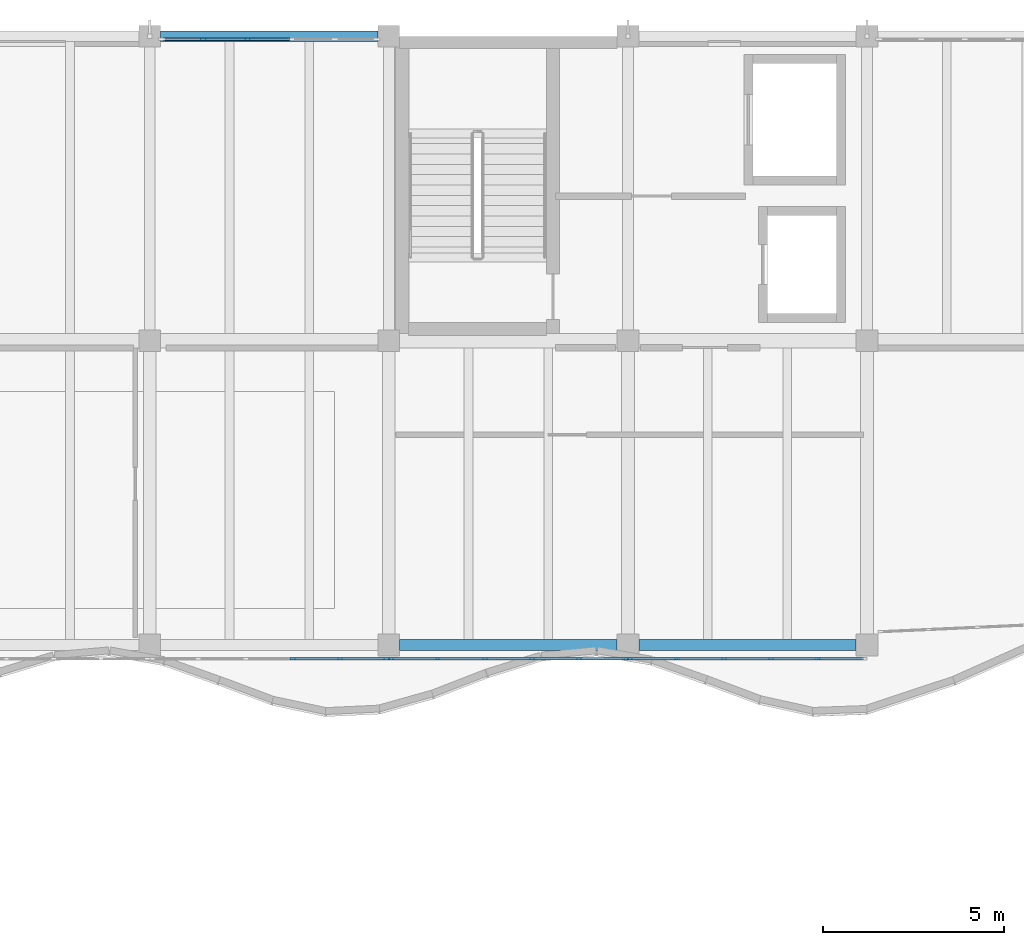
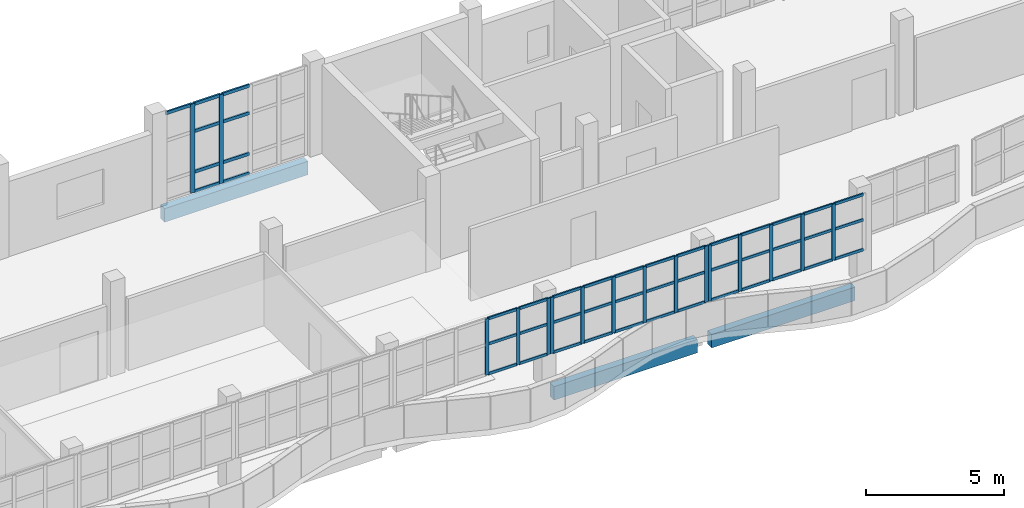
# One storey, part 16 of 74: 61 members, 3 beams, 4 elements without a shape of their own.
"""IFC4 building model written with IfcOpenShell, lengths in metres."""

from ifc_helpers import new_model, si_unit, direction, frame, origin, origin_2d, place, context, subcontext, project, spatial, rectangle, extrude, material, material_profile, profile_set, type_object, element, aggregate, save


model = new_model("IFC4")

# Units and contexts
model_context = context("Model", 3, precision=1e-05, world=origin(), true_north=direction((0.0, 1.0)))
body_context = subcontext(model_context, "Body", "Model", "MODEL_VIEW")
ifc_project = project(units=[si_unit("LENGTHUNIT", "METRE"), si_unit("AREAUNIT", "SQUARE_METRE"), si_unit("VOLUMEUNIT", "CUBIC_METRE"), si_unit("PLANEANGLEUNIT", "RADIAN"), si_unit("MASSUNIT", "GRAM", prefix="KILO")], contexts=[model_context])

# Site, building, storey
site_placement = place(None, origin())
site = spatial("IfcSite", under=ifc_project, at=site_placement, CompositionType="ELEMENT")
building_placement = place(site_placement, origin())
building = spatial("IfcBuilding", under=site, at=building_placement, Name="Qaldarim Faculty of Natural and Applied Sciences", CompositionType="ELEMENT")
storey_placement = place(building_placement, frame((0.0, 0.0, 14.39990234375)))
storey = spatial("IfcBuildingStorey", under=building, at=storey_placement, Name="L03", CompositionType="ELEMENT", Elevation=14.39990234375)

# Curtain wall, members
ifc_material_1 = material(Name="Anodised aluminium AW-6063", Category="aluminium")
curtain_wall_type_1 = type_object("IfcCurtainWallType", Name="CurtainWallSystem-M1400", PredefinedType="USERDEFINED", material=ifc_material_1)
curtain_wall_1_placement = place(storey_placement, origin())
curtain_wall_1 = element("IfcCurtainWall", 1, at=curtain_wall_1_placement, inside=storey, type_object=curtain_wall_type_1, Name="Curtain wall CW-V4RIB-L03-X15", ObjectType="STICK CURTAIN WALL", PredefinedType="USERDEFINED")
ifc_material_profile_1 = material_profile(ifc_material_1, rectangle(XDim=0.06005859375, YDim=0.14990234375, at=origin_2d()), Name="ALU-M60x150")
ifc_profile_set_1 = profile_set([ifc_material_profile_1], Name="Anodised aluminium AW-6063")
member_type_1 = type_object("IfcMemberType", Name="Mullion-ALU60x150", PredefinedType="MULLION", material=ifc_profile_set_1)
member_1_placement = place(storey_placement, frame((96.35205078125, 100.419921875, 1.4501953125), z_axis=(0.0, 0.0, 1.0), x_axis=(0.0, 1.0, 0.0)))
member_1 = element("IfcMember", 2, at=member_1_placement, type_object=member_type_1, Name="Mullion 4 of CW-V4RIB-L03-X15", PredefinedType="MULLION", context=body_context, shape_type="SweptSolid", body=[
    extrude(rectangle(XDim=0.06005859375, YDim=0.14990234375, at=origin_2d()), origin(), (0.0, 0.0, 1.0), 2.489990234375),
])
member_2_placement = place(storey_placement, frame((97.656005859375, 100.419921875, 1.4501953125), z_axis=(0.0, 0.0, 1.0), x_axis=(0.0, 1.0, 0.0)))
member_2 = element("IfcMember", 3, at=member_2_placement, type_object=member_type_1, Name="Mullion 5 of CW-V4RIB-L03-X15", PredefinedType="MULLION", context=body_context, shape_type="SweptSolid", body=[
    extrude(rectangle(XDim=0.06005859375, YDim=0.14990234375, at=origin_2d()), origin(), (0.0, 0.0, 1.0), 2.489990234375),
])
member_3_placement = place(storey_placement, frame((98.929931640625, 100.419921875, 1.4501953125), z_axis=(0.0, 0.0, 1.0), x_axis=(0.0, 1.0, 0.0)))
member_3 = element("IfcMember", 4, at=member_3_placement, type_object=member_type_1, Name="Mullion 6 of CW-V4RIB-L03-X15", PredefinedType="MULLION", context=body_context, shape_type="SweptSolid", body=[
    extrude(rectangle(XDim=0.06005859375, YDim=0.14990234375, at=origin_2d()), origin(), (0.0, 0.0, 1.0), 2.489990234375),
])

curtain_wall_2_placement = place(storey_placement, origin())
curtain_wall_2 = element("IfcCurtainWall", 5, at=curtain_wall_2_placement, inside=storey, type_object=curtain_wall_type_1, Name="Curtain wall CW-V4RIB-L03-X16", ObjectType="STICK CURTAIN WALL", PredefinedType="USERDEFINED")
member_4_placement = place(storey_placement, frame((99.070068359375, 100.419921875, 1.4501953125), z_axis=(0.0, 0.0, 1.0), x_axis=(0.0, 1.0, 0.0)))
member_4 = element("IfcMember", 6, at=member_4_placement, type_object=member_type_1, Name="Mullion 1 of CW-V4RIB-L03-X16", PredefinedType="MULLION", context=body_context, shape_type="SweptSolid", body=[
    extrude(rectangle(XDim=0.06005859375, YDim=0.14990234375, at=origin_2d()), origin(), (0.0, 0.0, 1.0), 2.489990234375),
])
member_5_placement = place(storey_placement, frame((100.343994140625, 100.419921875, 1.4501953125), z_axis=(0.0, 0.0, 1.0), x_axis=(0.0, 1.0, 0.0)))
member_5 = element("IfcMember", 7, at=member_5_placement, type_object=member_type_1, Name="Mullion 2 of CW-V4RIB-L03-X16", PredefinedType="MULLION", context=body_context, shape_type="SweptSolid", body=[
    extrude(rectangle(XDim=0.06005859375, YDim=0.14990234375, at=origin_2d()), origin(), (0.0, 0.0, 1.0), 2.489990234375),
])
member_6_placement = place(storey_placement, frame((101.64794921875, 100.419921875, 1.4501953125), z_axis=(0.0, 0.0, 1.0), x_axis=(0.0, 1.0, 0.0)))
member_6 = element("IfcMember", 8, at=member_6_placement, type_object=member_type_1, Name="Mullion 3 of CW-V4RIB-L03-X16", PredefinedType="MULLION", context=body_context, shape_type="SweptSolid", body=[
    extrude(rectangle(XDim=0.06005859375, YDim=0.14990234375, at=origin_2d()), origin(), (0.0, 0.0, 1.0), 2.489990234375),
])
member_7_placement = place(storey_placement, frame((102.951904296875, 100.419921875, 1.4501953125), z_axis=(0.0, 0.0, 1.0), x_axis=(0.0, 1.0, 0.0)))
member_7 = element("IfcMember", 9, at=member_7_placement, type_object=member_type_1, Name="Mullion 4 of CW-V4RIB-L03-X16", PredefinedType="MULLION", context=body_context, shape_type="SweptSolid", body=[
    extrude(rectangle(XDim=0.06005859375, YDim=0.14990234375, at=origin_2d()), origin(), (0.0, 0.0, 1.0), 2.489990234375),
])
member_8_placement = place(storey_placement, frame((104.256103515625, 100.419921875, 1.4501953125), z_axis=(0.0, 0.0, 1.0), x_axis=(0.0, 1.0, 0.0)))
member_8 = element("IfcMember", 10, at=member_8_placement, type_object=member_type_1, Name="Mullion 5 of CW-V4RIB-L03-X16", PredefinedType="MULLION", context=body_context, shape_type="SweptSolid", body=[
    extrude(rectangle(XDim=0.06005859375, YDim=0.14990234375, at=origin_2d()), origin(), (0.0, 0.0, 1.0), 2.489990234375),
])
member_9_placement = place(storey_placement, frame((105.530029296875, 100.419921875, 1.4501953125), z_axis=(0.0, 0.0, 1.0), x_axis=(0.0, 1.0, 0.0)))
member_9 = element("IfcMember", 11, at=member_9_placement, type_object=member_type_1, Name="Mullion 6 of CW-V4RIB-L03-X16", PredefinedType="MULLION", context=body_context, shape_type="SweptSolid", body=[
    extrude(rectangle(XDim=0.06005859375, YDim=0.14990234375, at=origin_2d()), origin(), (0.0, 0.0, 1.0), 2.489990234375),
])

curtain_wall_3_placement = place(storey_placement, origin())
curtain_wall_3 = element("IfcCurtainWall", 12, at=curtain_wall_3_placement, inside=storey, type_object=curtain_wall_type_1, Name="Curtain wall CW-V4RIB-L03-X17", ObjectType="STICK CURTAIN WALL", PredefinedType="USERDEFINED")
member_10_placement = place(storey_placement, frame((105.669921875, 100.419921875, 1.4501953125), z_axis=(0.0, 0.0, 1.0), x_axis=(0.0, 1.0, 0.0)))
member_10 = element("IfcMember", 13, at=member_10_placement, type_object=member_type_1, Name="Mullion 1 of CW-V4RIB-L03-X17", PredefinedType="MULLION", context=body_context, shape_type="SweptSolid", body=[
    extrude(rectangle(XDim=0.06005859375, YDim=0.14990234375, at=origin_2d()), origin(), (0.0, 0.0, 1.0), 2.489990234375),
])
member_11_placement = place(storey_placement, frame((106.944091796875, 100.419921875, 1.4501953125), z_axis=(0.0, 0.0, 1.0), x_axis=(0.0, 1.0, 0.0)))
member_11 = element("IfcMember", 14, at=member_11_placement, type_object=member_type_1, Name="Mullion 2 of CW-V4RIB-L03-X17", PredefinedType="MULLION", context=body_context, shape_type="SweptSolid", body=[
    extrude(rectangle(XDim=0.06005859375, YDim=0.14990234375, at=origin_2d()), origin(), (0.0, 0.0, 1.0), 2.489990234375),
])
member_12_placement = place(storey_placement, frame((108.248046875, 100.419921875, 1.4501953125), z_axis=(0.0, 0.0, 1.0), x_axis=(0.0, 1.0, 0.0)))
member_12 = element("IfcMember", 15, at=member_12_placement, type_object=member_type_1, Name="Mullion 3 of CW-V4RIB-L03-X17", PredefinedType="MULLION", context=body_context, shape_type="SweptSolid", body=[
    extrude(rectangle(XDim=0.06005859375, YDim=0.14990234375, at=origin_2d()), origin(), (0.0, 0.0, 1.0), 2.489990234375),
])
member_13_placement = place(storey_placement, frame((109.552001953125, 100.419921875, 1.4501953125), z_axis=(0.0, 0.0, 1.0), x_axis=(0.0, 1.0, 0.0)))
member_13 = element("IfcMember", 16, at=member_13_placement, type_object=member_type_1, Name="Mullion 4 of CW-V4RIB-L03-X17", PredefinedType="MULLION", context=body_context, shape_type="SweptSolid", body=[
    extrude(rectangle(XDim=0.06005859375, YDim=0.14990234375, at=origin_2d()), origin(), (0.0, 0.0, 1.0), 2.489990234375),
])
member_14_placement = place(storey_placement, frame((110.85595703125, 100.419921875, 1.4501953125), z_axis=(0.0, 0.0, 1.0), x_axis=(0.0, 1.0, 0.0)))
member_14 = element("IfcMember", 17, at=member_14_placement, type_object=member_type_1, Name="Mullion 5 of CW-V4RIB-L03-X17", PredefinedType="MULLION", context=body_context, shape_type="SweptSolid", body=[
    extrude(rectangle(XDim=0.06005859375, YDim=0.14990234375, at=origin_2d()), origin(), (0.0, 0.0, 1.0), 2.489990234375),
])

curtain_wall_type_2 = type_object("IfcCurtainWallType", Name="CurtainWallSystem-M1200", PredefinedType="USERDEFINED", material=ifc_material_1)
curtain_wall_4_placement = place(storey_placement, origin())
curtain_wall_4 = element("IfcCurtainWall", 18, at=curtain_wall_4_placement, inside=storey, type_object=curtain_wall_type_2, Name="Curtain wall CW-L03-N-X15Y14", ObjectType="STICK CURTAIN WALL", PredefinedType="USERDEFINED")
ifc_material_profile_2 = material_profile(ifc_material_1, rectangle(XDim=0.070068359375, YDim=0.179931640625, at=origin_2d()), Name="ALU-M70x180")
ifc_profile_set_2 = profile_set([ifc_material_profile_2], Name="Anodised aluminium AW-6063")
member_type_2 = type_object("IfcMemberType", Name="Mullion-ALU70x180", PredefinedType="MULLION", material=ifc_profile_set_2)
member_15_placement = place(storey_placement, frame((95.09912109375, 117.52001953125, 0.0), z_axis=(0.0, 0.0, 1.0), x_axis=(0.0, -1.0, 0.0)))
member_15 = element("IfcMember", 19, at=member_15_placement, type_object=member_type_2, Name="Mullion 4 of CW-L03-N-X15Y14", PredefinedType="MULLION", context=body_context, shape_type="SweptSolid", body=[
    extrude(rectangle(XDim=0.070068359375, YDim=0.179931640625, at=origin_2d()), origin(), (0.0, 0.0, 1.0), 3.940185546875),
])
member_16_placement = place(storey_placement, frame((93.89697265625, 117.52001953125, 0.0), z_axis=(0.0, 0.0, 1.0), x_axis=(0.0, -1.0, 0.0)))
member_16 = element("IfcMember", 20, at=member_16_placement, type_object=member_type_2, Name="Mullion 5 of CW-L03-N-X15Y14", PredefinedType="MULLION", context=body_context, shape_type="SweptSolid", body=[
    extrude(rectangle(XDim=0.070068359375, YDim=0.179931640625, at=origin_2d()), origin(), (0.0, 0.0, 1.0), 3.940185546875),
])

# Beams
ifc_material_2 = material(Name="Precast concrete C40/50", Category="concrete")
ifc_material_profile_3 = material_profile(ifc_material_2, rectangle(XDim=0.300048828125, YDim=0.60009765625, at=origin_2d()), Name="RC-SP300x600")
ifc_profile_set_3 = profile_set([ifc_material_profile_3], Name="Precast concrete C40/50")
beam_type = type_object("IfcBeamType", Name="SpandrelBeam-RC300x600", PredefinedType="SPANDREL", material=ifc_profile_set_3)
for number, where, z_axis, x_axis, name in (
    (21, (99.300048828125, 100.800048828125, -0.559814453125), (1.0, 0.0, 0.0), (0.0, 1.0, 0.0), "Beam RC-SP300x600 L02 X16-X17/Y13"),
    (22, (105.89990234375, 100.800048828125, -0.559814453125), (1.0, 0.0, 0.0), (0.0, 1.0, 0.0), "Beam RC-SP300x600 L02 X17-X18/Y13"),
    (23, (92.699951171875, 117.60009765625, -0.559814453125), (1.0, 0.0, 0.0), (0.0, 1.0, 0.0), "Beam RC-SP300x600 L02 X15-X16/Y15"),
):
    element("IfcBeam", number, at=place(storey_placement, frame(where, z_axis=z_axis, x_axis=x_axis)), inside=storey, type_object=beam_type, Name=name, PredefinedType="SPANDREL", context=body_context, shape_type="SweptSolid", body=[
        extrude(rectangle(XDim=0.300048828125, YDim=0.60009765625, at=origin_2d()), origin(), (0.0, 0.0, 1.0), 6.0),
    ])

# Member
ifc_material_profile_4 = material_profile(ifc_material_1, rectangle(XDim=0.06005859375, YDim=0.1201171875, at=origin_2d()), Name="ALU-T60x120")
ifc_profile_set_4 = profile_set([ifc_material_profile_4], Name="Anodised aluminium AW-6063")
member_type_3 = type_object("IfcMemberType", Name="Transom-ALU60x120", PredefinedType="USERDEFINED", material=ifc_profile_set_4)
member_17_placement = place(storey_placement, frame((96.382080078125, 100.419921875, 1.47998046875), z_axis=(1.0, 0.0, 0.0), x_axis=(0.0, 1.0, 0.0)))
member_17 = element("IfcMember", 24, at=member_17_placement, type_object=member_type_3, Name="Transom 4-1 of CW-V4RIB-L03-X15", ObjectType="TRANSOM", PredefinedType="USERDEFINED", context=body_context, shape_type="SweptSolid", body=[
    extrude(rectangle(XDim=0.06005859375, YDim=0.1201171875, at=origin_2d()), origin(), (0.0, 0.0, 1.0), 1.243896484375),
])

member_18_placement = place(storey_placement, frame((96.382080078125, 100.419921875, 2.800048828125), z_axis=(1.0, 0.0, 0.0), x_axis=(0.0, 1.0, 0.0)))
member_18 = element("IfcMember", 25, at=member_18_placement, type_object=member_type_3, Name="Transom 4-2 of CW-V4RIB-L03-X15", ObjectType="TRANSOM", PredefinedType="USERDEFINED", context=body_context, shape_type="SweptSolid", body=[
    extrude(rectangle(XDim=0.06005859375, YDim=0.1201171875, at=origin_2d()), origin(), (0.0, 0.0, 1.0), 1.243896484375),
])

member_19_placement = place(storey_placement, frame((96.382080078125, 100.419921875, 3.91015625), z_axis=(1.0, 0.0, 0.0), x_axis=(0.0, 1.0, 0.0)))
member_19 = element("IfcMember", 26, at=member_19_placement, type_object=member_type_3, Name="Transom 4-3 of CW-V4RIB-L03-X15", ObjectType="TRANSOM", PredefinedType="USERDEFINED", context=body_context, shape_type="SweptSolid", body=[
    extrude(rectangle(XDim=0.06005859375, YDim=0.1201171875, at=origin_2d()), origin(), (0.0, 0.0, 1.0), 1.243896484375),
])

member_20_placement = place(storey_placement, frame((97.68603515625, 100.419921875, 1.47998046875), z_axis=(1.0, 0.0, 0.0), x_axis=(0.0, 1.0, 0.0)))
member_20 = element("IfcMember", 27, at=member_20_placement, type_object=member_type_3, Name="Transom 5-1 of CW-V4RIB-L03-X15", ObjectType="TRANSOM", PredefinedType="USERDEFINED", context=body_context, shape_type="SweptSolid", body=[
    extrude(rectangle(XDim=0.06005859375, YDim=0.1201171875, at=origin_2d()), origin(), (0.0, 0.0, 1.0), 1.2138671875),
])

member_21_placement = place(storey_placement, frame((97.68603515625, 100.419921875, 2.800048828125), z_axis=(1.0, 0.0, 0.0), x_axis=(0.0, 1.0, 0.0)))
member_21 = element("IfcMember", 28, at=member_21_placement, type_object=member_type_3, Name="Transom 5-2 of CW-V4RIB-L03-X15", ObjectType="TRANSOM", PredefinedType="USERDEFINED", context=body_context, shape_type="SweptSolid", body=[
    extrude(rectangle(XDim=0.06005859375, YDim=0.1201171875, at=origin_2d()), origin(), (0.0, 0.0, 1.0), 1.2138671875),
])

member_22_placement = place(storey_placement, frame((97.68603515625, 100.419921875, 3.91015625), z_axis=(1.0, 0.0, 0.0), x_axis=(0.0, 1.0, 0.0)))
member_22 = element("IfcMember", 29, at=member_22_placement, type_object=member_type_3, Name="Transom 5-3 of CW-V4RIB-L03-X15", ObjectType="TRANSOM", PredefinedType="USERDEFINED", context=body_context, shape_type="SweptSolid", body=[
    extrude(rectangle(XDim=0.06005859375, YDim=0.1201171875, at=origin_2d()), origin(), (0.0, 0.0, 1.0), 1.2138671875),
])

aggregate(curtain_wall_1, [member_1, member_2, member_3, member_17, member_18, member_19, member_20, member_21, member_22])

member_23_placement = place(storey_placement, frame((99.10009765625, 100.419921875, 1.47998046875), z_axis=(1.0, 0.0, 0.0), x_axis=(0.0, 1.0, 0.0)))
member_23 = element("IfcMember", 30, at=member_23_placement, type_object=member_type_3, Name="Transom 1-1 of CW-V4RIB-L03-X16", ObjectType="TRANSOM", PredefinedType="USERDEFINED", context=body_context, shape_type="SweptSolid", body=[
    extrude(rectangle(XDim=0.06005859375, YDim=0.1201171875, at=origin_2d()), origin(), (0.0, 0.0, 1.0), 1.2138671875),
])

member_24_placement = place(storey_placement, frame((99.10009765625, 100.419921875, 2.800048828125), z_axis=(1.0, 0.0, 0.0), x_axis=(0.0, 1.0, 0.0)))
member_24 = element("IfcMember", 31, at=member_24_placement, type_object=member_type_3, Name="Transom 1-2 of CW-V4RIB-L03-X16", ObjectType="TRANSOM", PredefinedType="USERDEFINED", context=body_context, shape_type="SweptSolid", body=[
    extrude(rectangle(XDim=0.06005859375, YDim=0.1201171875, at=origin_2d()), origin(), (0.0, 0.0, 1.0), 1.2138671875),
])

member_25_placement = place(storey_placement, frame((99.10009765625, 100.419921875, 3.91015625), z_axis=(1.0, 0.0, 0.0), x_axis=(0.0, 1.0, 0.0)))
member_25 = element("IfcMember", 32, at=member_25_placement, type_object=member_type_3, Name="Transom 1-3 of CW-V4RIB-L03-X16", ObjectType="TRANSOM", PredefinedType="USERDEFINED", context=body_context, shape_type="SweptSolid", body=[
    extrude(rectangle(XDim=0.06005859375, YDim=0.1201171875, at=origin_2d()), origin(), (0.0, 0.0, 1.0), 1.2138671875),
])

member_26_placement = place(storey_placement, frame((100.3740234375, 100.419921875, 1.47998046875), z_axis=(1.0, 0.0, 0.0), x_axis=(0.0, 1.0, 0.0)))
member_26 = element("IfcMember", 33, at=member_26_placement, type_object=member_type_3, Name="Transom 2-1 of CW-V4RIB-L03-X16", ObjectType="TRANSOM", PredefinedType="USERDEFINED", context=body_context, shape_type="SweptSolid", body=[
    extrude(rectangle(XDim=0.06005859375, YDim=0.1201171875, at=origin_2d()), origin(), (0.0, 0.0, 1.0), 1.243896484375),
])

member_27_placement = place(storey_placement, frame((100.3740234375, 100.419921875, 2.800048828125), z_axis=(1.0, 0.0, 0.0), x_axis=(0.0, 1.0, 0.0)))
member_27 = element("IfcMember", 34, at=member_27_placement, type_object=member_type_3, Name="Transom 2-2 of CW-V4RIB-L03-X16", ObjectType="TRANSOM", PredefinedType="USERDEFINED", context=body_context, shape_type="SweptSolid", body=[
    extrude(rectangle(XDim=0.06005859375, YDim=0.1201171875, at=origin_2d()), origin(), (0.0, 0.0, 1.0), 1.243896484375),
])

member_28_placement = place(storey_placement, frame((100.3740234375, 100.419921875, 3.91015625), z_axis=(1.0, 0.0, 0.0), x_axis=(0.0, 1.0, 0.0)))
member_28 = element("IfcMember", 35, at=member_28_placement, type_object=member_type_3, Name="Transom 2-3 of CW-V4RIB-L03-X16", ObjectType="TRANSOM", PredefinedType="USERDEFINED", context=body_context, shape_type="SweptSolid", body=[
    extrude(rectangle(XDim=0.06005859375, YDim=0.1201171875, at=origin_2d()), origin(), (0.0, 0.0, 1.0), 1.243896484375),
])

member_29_placement = place(storey_placement, frame((101.677978515625, 100.419921875, 1.47998046875), z_axis=(1.0, 0.0, 0.0), x_axis=(0.0, 1.0, 0.0)))
member_29 = element("IfcMember", 36, at=member_29_placement, type_object=member_type_3, Name="Transom 3-1 of CW-V4RIB-L03-X16", ObjectType="TRANSOM", PredefinedType="USERDEFINED", context=body_context, shape_type="SweptSolid", body=[
    extrude(rectangle(XDim=0.06005859375, YDim=0.1201171875, at=origin_2d()), origin(), (0.0, 0.0, 1.0), 1.244140625),
])

member_30_placement = place(storey_placement, frame((101.677978515625, 100.419921875, 2.800048828125), z_axis=(1.0, 0.0, 0.0), x_axis=(0.0, 1.0, 0.0)))
member_30 = element("IfcMember", 37, at=member_30_placement, type_object=member_type_3, Name="Transom 3-2 of CW-V4RIB-L03-X16", ObjectType="TRANSOM", PredefinedType="USERDEFINED", context=body_context, shape_type="SweptSolid", body=[
    extrude(rectangle(XDim=0.06005859375, YDim=0.1201171875, at=origin_2d()), origin(), (0.0, 0.0, 1.0), 1.244140625),
])

member_31_placement = place(storey_placement, frame((101.677978515625, 100.419921875, 3.91015625), z_axis=(1.0, 0.0, 0.0), x_axis=(0.0, 1.0, 0.0)))
member_31 = element("IfcMember", 38, at=member_31_placement, type_object=member_type_3, Name="Transom 3-3 of CW-V4RIB-L03-X16", ObjectType="TRANSOM", PredefinedType="USERDEFINED", context=body_context, shape_type="SweptSolid", body=[
    extrude(rectangle(XDim=0.06005859375, YDim=0.1201171875, at=origin_2d()), origin(), (0.0, 0.0, 1.0), 1.244140625),
])

member_32_placement = place(storey_placement, frame((102.98193359375, 100.419921875, 1.47998046875), z_axis=(1.0, 0.0, 0.0), x_axis=(0.0, 1.0, 0.0)))
member_32 = element("IfcMember", 39, at=member_32_placement, type_object=member_type_3, Name="Transom 4-1 of CW-V4RIB-L03-X16", ObjectType="TRANSOM", PredefinedType="USERDEFINED", context=body_context, shape_type="SweptSolid", body=[
    extrude(rectangle(XDim=0.06005859375, YDim=0.1201171875, at=origin_2d()), origin(), (0.0, 0.0, 1.0), 1.244140625),
])

member_33_placement = place(storey_placement, frame((102.98193359375, 100.419921875, 2.800048828125), z_axis=(1.0, 0.0, 0.0), x_axis=(0.0, 1.0, 0.0)))
member_33 = element("IfcMember", 40, at=member_33_placement, type_object=member_type_3, Name="Transom 4-2 of CW-V4RIB-L03-X16", ObjectType="TRANSOM", PredefinedType="USERDEFINED", context=body_context, shape_type="SweptSolid", body=[
    extrude(rectangle(XDim=0.06005859375, YDim=0.1201171875, at=origin_2d()), origin(), (0.0, 0.0, 1.0), 1.244140625),
])

member_34_placement = place(storey_placement, frame((102.98193359375, 100.419921875, 3.91015625), z_axis=(1.0, 0.0, 0.0), x_axis=(0.0, 1.0, 0.0)))
member_34 = element("IfcMember", 41, at=member_34_placement, type_object=member_type_3, Name="Transom 4-3 of CW-V4RIB-L03-X16", ObjectType="TRANSOM", PredefinedType="USERDEFINED", context=body_context, shape_type="SweptSolid", body=[
    extrude(rectangle(XDim=0.06005859375, YDim=0.1201171875, at=origin_2d()), origin(), (0.0, 0.0, 1.0), 1.244140625),
])

member_35_placement = place(storey_placement, frame((104.285888671875, 100.419921875, 1.47998046875), z_axis=(1.0, 0.0, 0.0), x_axis=(0.0, 1.0, 0.0)))
member_35 = element("IfcMember", 42, at=member_35_placement, type_object=member_type_3, Name="Transom 5-1 of CW-V4RIB-L03-X16", ObjectType="TRANSOM", PredefinedType="USERDEFINED", context=body_context, shape_type="SweptSolid", body=[
    extrude(rectangle(XDim=0.06005859375, YDim=0.1201171875, at=origin_2d()), origin(), (0.0, 0.0, 1.0), 1.214111328125),
])

member_36_placement = place(storey_placement, frame((104.285888671875, 100.419921875, 2.800048828125), z_axis=(1.0, 0.0, 0.0), x_axis=(0.0, 1.0, 0.0)))
member_36 = element("IfcMember", 43, at=member_36_placement, type_object=member_type_3, Name="Transom 5-2 of CW-V4RIB-L03-X16", ObjectType="TRANSOM", PredefinedType="USERDEFINED", context=body_context, shape_type="SweptSolid", body=[
    extrude(rectangle(XDim=0.06005859375, YDim=0.1201171875, at=origin_2d()), origin(), (0.0, 0.0, 1.0), 1.214111328125),
])

member_37_placement = place(storey_placement, frame((104.285888671875, 100.419921875, 3.91015625), z_axis=(1.0, 0.0, 0.0), x_axis=(0.0, 1.0, 0.0)))
member_37 = element("IfcMember", 44, at=member_37_placement, type_object=member_type_3, Name="Transom 5-3 of CW-V4RIB-L03-X16", ObjectType="TRANSOM", PredefinedType="USERDEFINED", context=body_context, shape_type="SweptSolid", body=[
    extrude(rectangle(XDim=0.06005859375, YDim=0.1201171875, at=origin_2d()), origin(), (0.0, 0.0, 1.0), 1.214111328125),
])

aggregate(curtain_wall_2, [member_4, member_5, member_6, member_7, member_8, member_9, member_23, member_24, member_25, member_26, member_27, member_28, member_29, member_30, member_31, member_32, member_33, member_34, member_35, member_36, member_37])

member_38_placement = place(storey_placement, frame((105.699951171875, 100.419921875, 1.47998046875), z_axis=(1.0, 0.0, 0.0), x_axis=(0.0, 1.0, 0.0)))
member_38 = element("IfcMember", 45, at=member_38_placement, type_object=member_type_3, Name="Transom 1-1 of CW-V4RIB-L03-X17", ObjectType="TRANSOM", PredefinedType="USERDEFINED", context=body_context, shape_type="SweptSolid", body=[
    extrude(rectangle(XDim=0.06005859375, YDim=0.1201171875, at=origin_2d()), origin(), (0.0, 0.0, 1.0), 1.214111328125),
])

member_39_placement = place(storey_placement, frame((105.699951171875, 100.419921875, 2.800048828125), z_axis=(1.0, 0.0, 0.0), x_axis=(0.0, 1.0, 0.0)))
member_39 = element("IfcMember", 46, at=member_39_placement, type_object=member_type_3, Name="Transom 1-2 of CW-V4RIB-L03-X17", ObjectType="TRANSOM", PredefinedType="USERDEFINED", context=body_context, shape_type="SweptSolid", body=[
    extrude(rectangle(XDim=0.06005859375, YDim=0.1201171875, at=origin_2d()), origin(), (0.0, 0.0, 1.0), 1.214111328125),
])

member_40_placement = place(storey_placement, frame((105.699951171875, 100.419921875, 3.91015625), z_axis=(1.0, 0.0, 0.0), x_axis=(0.0, 1.0, 0.0)))
member_40 = element("IfcMember", 47, at=member_40_placement, type_object=member_type_3, Name="Transom 1-3 of CW-V4RIB-L03-X17", ObjectType="TRANSOM", PredefinedType="USERDEFINED", context=body_context, shape_type="SweptSolid", body=[
    extrude(rectangle(XDim=0.06005859375, YDim=0.1201171875, at=origin_2d()), origin(), (0.0, 0.0, 1.0), 1.214111328125),
])

member_41_placement = place(storey_placement, frame((106.97412109375, 100.419921875, 1.47998046875), z_axis=(1.0, 0.0, 0.0), x_axis=(0.0, 1.0, 0.0)))
member_41 = element("IfcMember", 48, at=member_41_placement, type_object=member_type_3, Name="Transom 2-1 of CW-V4RIB-L03-X17", ObjectType="TRANSOM", PredefinedType="USERDEFINED", context=body_context, shape_type="SweptSolid", body=[
    extrude(rectangle(XDim=0.06005859375, YDim=0.1201171875, at=origin_2d()), origin(), (0.0, 0.0, 1.0), 1.243896484375),
])

member_42_placement = place(storey_placement, frame((106.97412109375, 100.419921875, 2.800048828125), z_axis=(1.0, 0.0, 0.0), x_axis=(0.0, 1.0, 0.0)))
member_42 = element("IfcMember", 49, at=member_42_placement, type_object=member_type_3, Name="Transom 2-2 of CW-V4RIB-L03-X17", ObjectType="TRANSOM", PredefinedType="USERDEFINED", context=body_context, shape_type="SweptSolid", body=[
    extrude(rectangle(XDim=0.06005859375, YDim=0.1201171875, at=origin_2d()), origin(), (0.0, 0.0, 1.0), 1.243896484375),
])

member_43_placement = place(storey_placement, frame((106.97412109375, 100.419921875, 3.91015625), z_axis=(1.0, 0.0, 0.0), x_axis=(0.0, 1.0, 0.0)))
member_43 = element("IfcMember", 50, at=member_43_placement, type_object=member_type_3, Name="Transom 2-3 of CW-V4RIB-L03-X17", ObjectType="TRANSOM", PredefinedType="USERDEFINED", context=body_context, shape_type="SweptSolid", body=[
    extrude(rectangle(XDim=0.06005859375, YDim=0.1201171875, at=origin_2d()), origin(), (0.0, 0.0, 1.0), 1.243896484375),
])

member_44_placement = place(storey_placement, frame((108.278076171875, 100.419921875, 1.47998046875), z_axis=(1.0, 0.0, 0.0), x_axis=(0.0, 1.0, 0.0)))
member_44 = element("IfcMember", 51, at=member_44_placement, type_object=member_type_3, Name="Transom 3-1 of CW-V4RIB-L03-X17", ObjectType="TRANSOM", PredefinedType="USERDEFINED", context=body_context, shape_type="SweptSolid", body=[
    extrude(rectangle(XDim=0.06005859375, YDim=0.1201171875, at=origin_2d()), origin(), (0.0, 0.0, 1.0), 1.243896484375),
])

member_45_placement = place(storey_placement, frame((108.278076171875, 100.419921875, 2.800048828125), z_axis=(1.0, 0.0, 0.0), x_axis=(0.0, 1.0, 0.0)))
member_45 = element("IfcMember", 52, at=member_45_placement, type_object=member_type_3, Name="Transom 3-2 of CW-V4RIB-L03-X17", ObjectType="TRANSOM", PredefinedType="USERDEFINED", context=body_context, shape_type="SweptSolid", body=[
    extrude(rectangle(XDim=0.06005859375, YDim=0.1201171875, at=origin_2d()), origin(), (0.0, 0.0, 1.0), 1.243896484375),
])

member_46_placement = place(storey_placement, frame((108.278076171875, 100.419921875, 3.91015625), z_axis=(1.0, 0.0, 0.0), x_axis=(0.0, 1.0, 0.0)))
member_46 = element("IfcMember", 53, at=member_46_placement, type_object=member_type_3, Name="Transom 3-3 of CW-V4RIB-L03-X17", ObjectType="TRANSOM", PredefinedType="USERDEFINED", context=body_context, shape_type="SweptSolid", body=[
    extrude(rectangle(XDim=0.06005859375, YDim=0.1201171875, at=origin_2d()), origin(), (0.0, 0.0, 1.0), 1.243896484375),
])

member_47_placement = place(storey_placement, frame((109.58203125, 100.419921875, 1.47998046875), z_axis=(1.0, 0.0, 0.0), x_axis=(0.0, 1.0, 0.0)))
member_47 = element("IfcMember", 54, at=member_47_placement, type_object=member_type_3, Name="Transom 4-1 of CW-V4RIB-L03-X17", ObjectType="TRANSOM", PredefinedType="USERDEFINED", context=body_context, shape_type="SweptSolid", body=[
    extrude(rectangle(XDim=0.06005859375, YDim=0.1201171875, at=origin_2d()), origin(), (0.0, 0.0, 1.0), 1.243896484375),
])

member_48_placement = place(storey_placement, frame((109.58203125, 100.419921875, 2.800048828125), z_axis=(1.0, 0.0, 0.0), x_axis=(0.0, 1.0, 0.0)))
member_48 = element("IfcMember", 55, at=member_48_placement, type_object=member_type_3, Name="Transom 4-2 of CW-V4RIB-L03-X17", ObjectType="TRANSOM", PredefinedType="USERDEFINED", context=body_context, shape_type="SweptSolid", body=[
    extrude(rectangle(XDim=0.06005859375, YDim=0.1201171875, at=origin_2d()), origin(), (0.0, 0.0, 1.0), 1.243896484375),
])

member_49_placement = place(storey_placement, frame((109.58203125, 100.419921875, 3.91015625), z_axis=(1.0, 0.0, 0.0), x_axis=(0.0, 1.0, 0.0)))
member_49 = element("IfcMember", 56, at=member_49_placement, type_object=member_type_3, Name="Transom 4-3 of CW-V4RIB-L03-X17", ObjectType="TRANSOM", PredefinedType="USERDEFINED", context=body_context, shape_type="SweptSolid", body=[
    extrude(rectangle(XDim=0.06005859375, YDim=0.1201171875, at=origin_2d()), origin(), (0.0, 0.0, 1.0), 1.243896484375),
])

member_50_placement = place(storey_placement, frame((110.885986328125, 100.419921875, 1.47998046875), z_axis=(1.0, 0.0, 0.0), x_axis=(0.0, 1.0, 0.0)))
member_50 = element("IfcMember", 57, at=member_50_placement, type_object=member_type_3, Name="Transom 5-1 of CW-V4RIB-L03-X17", ObjectType="TRANSOM", PredefinedType="USERDEFINED", context=body_context, shape_type="SweptSolid", body=[
    extrude(rectangle(XDim=0.06005859375, YDim=0.1201171875, at=origin_2d()), origin(), (0.0, 0.0, 1.0), 1.214111328125),
])

member_51_placement = place(storey_placement, frame((110.885986328125, 100.419921875, 2.800048828125), z_axis=(1.0, 0.0, 0.0), x_axis=(0.0, 1.0, 0.0)))
member_51 = element("IfcMember", 58, at=member_51_placement, type_object=member_type_3, Name="Transom 5-2 of CW-V4RIB-L03-X17", ObjectType="TRANSOM", PredefinedType="USERDEFINED", context=body_context, shape_type="SweptSolid", body=[
    extrude(rectangle(XDim=0.06005859375, YDim=0.1201171875, at=origin_2d()), origin(), (0.0, 0.0, 1.0), 1.214111328125),
])

member_52_placement = place(storey_placement, frame((110.885986328125, 100.419921875, 3.91015625), z_axis=(1.0, 0.0, 0.0), x_axis=(0.0, 1.0, 0.0)))
member_52 = element("IfcMember", 59, at=member_52_placement, type_object=member_type_3, Name="Transom 5-3 of CW-V4RIB-L03-X17", ObjectType="TRANSOM", PredefinedType="USERDEFINED", context=body_context, shape_type="SweptSolid", body=[
    extrude(rectangle(XDim=0.06005859375, YDim=0.1201171875, at=origin_2d()), origin(), (0.0, 0.0, 1.0), 1.214111328125),
])

aggregate(curtain_wall_3, [member_10, member_11, member_12, member_13, member_14, member_38, member_39, member_40, member_41, member_42, member_43, member_44, member_45, member_46, member_47, member_48, member_49, member_50, member_51, member_52])

ifc_material_profile_5 = material_profile(ifc_material_1, rectangle(XDim=0.070068359375, YDim=0.139892578125, at=origin_2d()), Name="ALU-T70x140")
ifc_profile_set_5 = profile_set([ifc_material_profile_5], Name="Anodised aluminium AW-6063")
member_type_4 = type_object("IfcMemberType", Name="Transom-ALU70x140", PredefinedType="USERDEFINED", material=ifc_profile_set_5)
member_53_placement = place(storey_placement, frame((96.26611328125, 117.52001953125, 0.03515625), z_axis=(-1.0, 0.0, 0.0), x_axis=(0.0, -1.0, 0.0)))
member_53 = element("IfcMember", 60, at=member_53_placement, type_object=member_type_4, Name="Transom 3-1 of CW-L03-N-X15Y14", ObjectType="TRANSOM", PredefinedType="USERDEFINED", context=body_context, shape_type="SweptSolid", body=[
    extrude(rectangle(XDim=0.070068359375, YDim=0.139892578125, at=origin_2d()), origin(), (0.0, 0.0, 1.0), 1.132080078125),
])

member_54_placement = place(storey_placement, frame((96.26611328125, 117.52001953125, 0.900146484375), z_axis=(-1.0, 0.0, 0.0), x_axis=(0.0, -1.0, 0.0)))
member_54 = element("IfcMember", 61, at=member_54_placement, type_object=member_type_4, Name="Transom 3-2 of CW-L03-N-X15Y14", ObjectType="TRANSOM", PredefinedType="USERDEFINED", context=body_context, shape_type="SweptSolid", body=[
    extrude(rectangle(XDim=0.070068359375, YDim=0.139892578125, at=origin_2d()), origin(), (0.0, 0.0, 1.0), 1.132080078125),
])

member_55_placement = place(storey_placement, frame((96.26611328125, 117.52001953125, 2.7001953125), z_axis=(-1.0, 0.0, 0.0), x_axis=(0.0, -1.0, 0.0)))
member_55 = element("IfcMember", 62, at=member_55_placement, type_object=member_type_4, Name="Transom 3-3 of CW-L03-N-X15Y14", ObjectType="TRANSOM", PredefinedType="USERDEFINED", context=body_context, shape_type="SweptSolid", body=[
    extrude(rectangle(XDim=0.070068359375, YDim=0.139892578125, at=origin_2d()), origin(), (0.0, 0.0, 1.0), 1.132080078125),
])

member_56_placement = place(storey_placement, frame((96.26611328125, 117.52001953125, 3.905029296875), z_axis=(-1.0, 0.0, 0.0), x_axis=(0.0, -1.0, 0.0)))
member_56 = element("IfcMember", 63, at=member_56_placement, type_object=member_type_4, Name="Transom 3-4 of CW-L03-N-X15Y14", ObjectType="TRANSOM", PredefinedType="USERDEFINED", context=body_context, shape_type="SweptSolid", body=[
    extrude(rectangle(XDim=0.070068359375, YDim=0.139892578125, at=origin_2d()), origin(), (0.0, 0.0, 1.0), 1.132080078125),
])

member_57_placement = place(storey_placement, frame((95.06396484375, 117.52001953125, 0.03515625), z_axis=(-1.0, 0.0, 0.0), x_axis=(0.0, -1.0, 0.0)))
member_57 = element("IfcMember", 64, at=member_57_placement, type_object=member_type_4, Name="Transom 4-1 of CW-L03-N-X15Y14", ObjectType="TRANSOM", PredefinedType="USERDEFINED", context=body_context, shape_type="SweptSolid", body=[
    extrude(rectangle(XDim=0.070068359375, YDim=0.139892578125, at=origin_2d()), origin(), (0.0, 0.0, 1.0), 1.132080078125),
])

member_58_placement = place(storey_placement, frame((95.06396484375, 117.52001953125, 0.900146484375), z_axis=(-1.0, 0.0, 0.0), x_axis=(0.0, -1.0, 0.0)))
member_58 = element("IfcMember", 65, at=member_58_placement, type_object=member_type_4, Name="Transom 4-2 of CW-L03-N-X15Y14", ObjectType="TRANSOM", PredefinedType="USERDEFINED", context=body_context, shape_type="SweptSolid", body=[
    extrude(rectangle(XDim=0.070068359375, YDim=0.139892578125, at=origin_2d()), origin(), (0.0, 0.0, 1.0), 1.132080078125),
])

member_59_placement = place(storey_placement, frame((95.06396484375, 117.52001953125, 2.7001953125), z_axis=(-1.0, 0.0, 0.0), x_axis=(0.0, -1.0, 0.0)))
member_59 = element("IfcMember", 66, at=member_59_placement, type_object=member_type_4, Name="Transom 4-3 of CW-L03-N-X15Y14", ObjectType="TRANSOM", PredefinedType="USERDEFINED", context=body_context, shape_type="SweptSolid", body=[
    extrude(rectangle(XDim=0.070068359375, YDim=0.139892578125, at=origin_2d()), origin(), (0.0, 0.0, 1.0), 1.132080078125),
])

member_60_placement = place(storey_placement, frame((95.06396484375, 117.52001953125, 3.905029296875), z_axis=(-1.0, 0.0, 0.0), x_axis=(0.0, -1.0, 0.0)))
member_60 = element("IfcMember", 67, at=member_60_placement, type_object=member_type_4, Name="Transom 4-4 of CW-L03-N-X15Y14", ObjectType="TRANSOM", PredefinedType="USERDEFINED", context=body_context, shape_type="SweptSolid", body=[
    extrude(rectangle(XDim=0.070068359375, YDim=0.139892578125, at=origin_2d()), origin(), (0.0, 0.0, 1.0), 1.132080078125),
])

member_61_placement = place(storey_placement, frame((93.862060546875, 117.52001953125, 3.905029296875), z_axis=(-1.0, 0.0, 0.0), x_axis=(0.0, -1.0, 0.0)))
member_61 = element("IfcMember", 68, at=member_61_placement, type_object=member_type_4, Name="Transom 5-4 of CW-L03-N-X15Y14", ObjectType="TRANSOM", PredefinedType="USERDEFINED", context=body_context, shape_type="SweptSolid", body=[
    extrude(rectangle(XDim=0.070068359375, YDim=0.139892578125, at=origin_2d()), origin(), (0.0, 0.0, 1.0), 1.09716796875),
])

aggregate(curtain_wall_4, [member_15, member_16, member_53, member_54, member_55, member_56, member_57, member_58, member_59, member_60, member_61])

save(model, "model.ifc")
